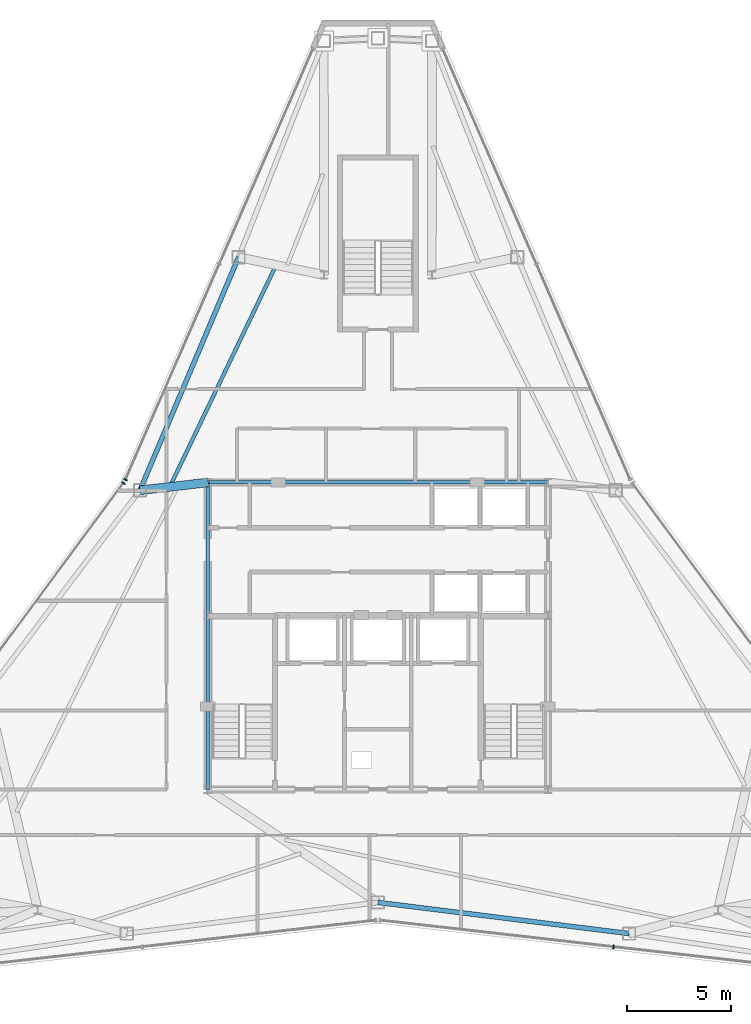
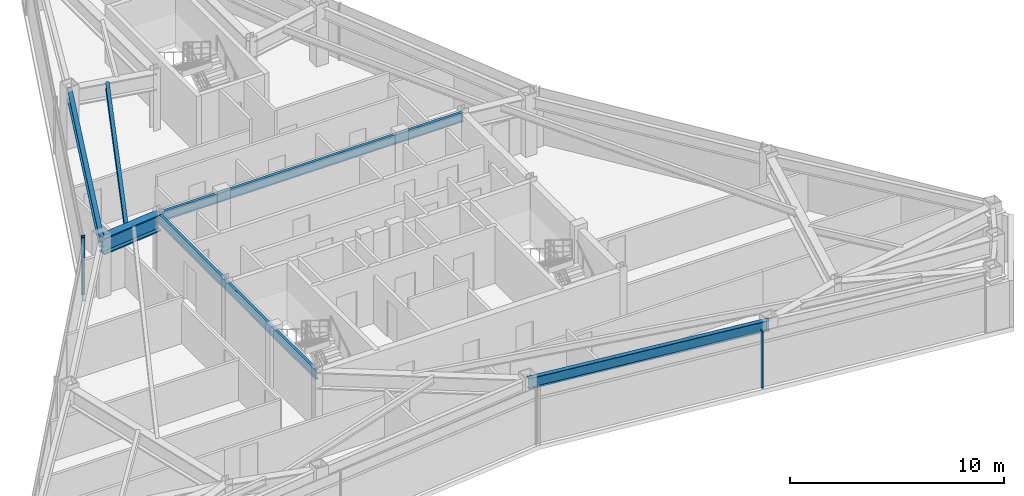
# One storey, part 5 of 11: 6 beams, 3 members, 3 elements without a shape of their own.
"""IFC4 building model written with IfcOpenShell, lengths in metres."""

from ifc_helpers import new_model, si_unit, direction, frame, origin, origin_2d, place, context, subcontext, project, spatial, rectangle, i_section, extrude, source, transform, mapped, material, layer, layer_set, material_profile, profile_set, type_object, type_shapes, element, aggregate, save


model = new_model("IFC4")

# Units and contexts
model_context = context("Model", 3, precision=1e-05, world=origin(), true_north=direction((0.0, 1.0)))
body_context = subcontext(model_context, "Body", "Model", "MODEL_VIEW")
ifc_project = project(units=[si_unit("LENGTHUNIT", "METRE"), si_unit("AREAUNIT", "SQUARE_METRE"), si_unit("VOLUMEUNIT", "CUBIC_METRE"), si_unit("PLANEANGLEUNIT", "RADIAN"), si_unit("MASSUNIT", "GRAM", prefix="KILO")], contexts=[model_context])

# Site, building, storey
site_placement = place(None, origin())
site = spatial("IfcSite", under=ifc_project, at=site_placement, CompositionType="ELEMENT")
building_placement = place(site_placement, origin())
building = spatial("IfcBuilding", under=site, at=building_placement, Name="Varakhsha Concourse Tower", CompositionType="ELEMENT")
storey_placement = place(building_placement, frame((0.0, 0.0, 279.5)))
storey = spatial("IfcBuildingStorey", under=building, at=storey_placement, Name="L79", CompositionType="ELEMENT", Elevation=279.5)

# Beams
ifc_material_1 = material(Name="Structural Steel ASTM A992 Grade 50", Category="steel")
ifc_material_profile_1 = material_profile(ifc_material_1, i_section(OverallWidth=0.177978515625, OverallDepth=0.406982421875, WebThickness=0.008056640625, FlangeThickness=0.012939453125, at=origin_2d()), Name="W16X40")
ifc_profile_set_1 = profile_set([ifc_material_profile_1], Name="Structural Steel ASTM A992 Grade 50")
beam_type_1 = type_object("IfcBeamType", Name="BM-JST-W16X40", PredefinedType="JOIST", material=ifc_profile_set_1)
beam_1_placement = place(storey_placement, frame((35.046875, 41.58349609375, 3.04638671875), z_axis=(-0.432292540768, -0.901733419141, 0.0), x_axis=(0.901733419141, -0.432292540768, 0.0)))
element("IfcBeam", 1, at=beam_1_placement, inside=storey, type_object=beam_type_1, Name="BM-TJST-L79-04", PredefinedType="JOIST", context=body_context, shape_type="SweptSolid", body=[
    extrude(i_section(OverallWidth=0.177978515625, OverallDepth=0.406982421875, WebThickness=0.008056640625, FlangeThickness=0.012939453125, at=origin_2d()), origin(), (0.0, 0.0, 1.0), 11.63916015625),
])
ifc_material_profile_2 = material_profile(ifc_material_1, i_section(OverallWidth=0.423095703125, OverallDepth=0.947998046875, WebThickness=0.0380859375, FlangeThickness=0.06396484375, at=origin_2d()), Name="W36X302")
ifc_profile_set_2 = profile_set([ifc_material_profile_2], Name="Structural Steel ASTM A992 Grade 50")
beam_type_2 = type_object("IfcBeamType", Name="BM-OUTR-W36X302", PredefinedType="USERDEFINED", material=ifc_profile_set_2)
beam_2_placement = place(storey_placement, frame((31.800048828125, 31.199951171875, 2.77587890625), z_axis=(-0.993437473309, -0.114376512559, 0.0), x_axis=(0.114376512559, -0.993437473309, 0.0)))
element("IfcBeam", 2, at=beam_2_placement, inside=storey, type_object=beam_type_2, Name="L79 Radial Floor Girder 05", ObjectType="GIRDER", PredefinedType="USERDEFINED", context=body_context, shape_type="SweptSolid", body=[
    extrude(i_section(OverallWidth=0.423095703125, OverallDepth=0.947998046875, WebThickness=0.0380859375, FlangeThickness=0.06396484375, at=origin_2d()), origin(), (0.0, 0.0, 1.0), 3.293701171875),
])
ifc_material_profile_3 = material_profile(ifc_material_1, i_section(OverallWidth=0.1669921875, OverallDepth=0.534912109375, WebThickness=0.010009765625, FlangeThickness=0.01708984375, at=origin_2d()), Name="W21X57")
ifc_profile_set_3 = profile_set([ifc_material_profile_3], Name="Structural Steel ASTM A992 Grade 50")
beam_type_3 = type_object("IfcBeamType", Name="BM-RAD-W21X57", PredefinedType="BEAM", material=ifc_profile_set_3)
beam_3_placement = place(storey_placement, frame((31.800048828125, 31.199951171875, 2.982421875), z_axis=(1.0, 0.0, 0.0), x_axis=(0.0, 1.0, 0.0)))
element("IfcBeam", 3, at=beam_3_placement, inside=storey, type_object=beam_type_3, Name="BM-TCORE-L79-CN", PredefinedType="BEAM", context=body_context, shape_type="SweptSolid", body=[
    extrude(i_section(OverallWidth=0.1669921875, OverallDepth=0.534912109375, WebThickness=0.010009765625, FlangeThickness=0.01708984375, at=origin_2d()), origin(), (0.0, 0.0, 1.0), 16.39990234375),
])
beam_4_placement = place(storey_placement, frame((31.800048828125, 16.39990234375, 2.982421875), z_axis=(0.0, 1.0, 0.0), x_axis=(-1.0, 0.0, 0.0)))
element("IfcBeam", 4, at=beam_4_placement, inside=storey, type_object=beam_type_3, Name="BM-TCORE-L79-CW", PredefinedType="BEAM", context=body_context, shape_type="SweptSolid", body=[
    extrude(i_section(OverallWidth=0.1669921875, OverallDepth=0.534912109375, WebThickness=0.010009765625, FlangeThickness=0.01708984375, at=origin_2d()), origin(), (0.0, 0.0, 1.0), 14.800048828125),
])
ifc_material_profile_4 = material_profile(ifc_material_1, i_section(OverallWidth=0.22900390625, OverallDepth=0.612060546875, WebThickness=0.011962890625, FlangeThickness=0.02001953125, at=origin_2d()), Name="W24X84")
ifc_profile_set_4 = profile_set([ifc_material_profile_4], Name="Structural Steel ASTM A992 Grade 50")
beam_type_4 = type_object("IfcBeamType", Name="BM-SPAN-W24X84", PredefinedType="SPANDREL", material=ifc_profile_set_4)
beam_5_placement = place(storey_placement, frame((33.28271484375, 42.06201171875, 2.944091796875), z_axis=(-0.389624327062, -0.920973877893, 0.0), x_axis=(0.920973877893, -0.389624327062, 0.0)))
element("IfcBeam", 5, at=beam_5_placement, inside=storey, type_object=beam_type_4, Name="BM-SPAN-L79-04", PredefinedType="SPANDREL", context=body_context, shape_type="SweptSolid", body=[
    extrude(i_section(OverallWidth=0.22900390625, OverallDepth=0.612060546875, WebThickness=0.011962890625, FlangeThickness=0.02001953125, at=origin_2d()), origin(), (0.0, 0.0, 1.0), 12.203125),
])
beam_6_placement = place(storey_placement, frame((40.0, 10.953369140625, 2.944091796875), z_axis=(0.992398980009, -0.123062035079, 0.0), x_axis=(0.123062035079, 0.992398980009, 0.0)))
element("IfcBeam", 6, at=beam_6_placement, inside=storey, type_object=beam_type_4, Name="BM-SPAN-L79-11", PredefinedType="SPANDREL", context=body_context, shape_type="SweptSolid", body=[
    extrude(i_section(OverallWidth=0.22900390625, OverallDepth=0.612060546875, WebThickness=0.011962890625, FlangeThickness=0.02001953125, at=origin_2d()), origin(), (0.0, 0.0, 1.0), 12.202880859375),
])

# Curtain wall, member
ifc_material_2 = material(Name="Anodised Bronze Architectural Aluminium AA 6063-T6", Category="aluminium")
ifc_layer = layer(ifc_material_2, 0.199951171875, Name="CW-SYS-05")
ifc_layer_set = layer_set([ifc_layer], Name="Anodised Bronze Architectural Aluminium AA 6063-T6")
curtain_wall_type = type_object("IfcCurtainWallType", Name="CW-SYS-05", PredefinedType="NOTDEFINED", material=ifc_layer_set)
curtain_wall_1_placement = place(storey_placement, origin())
curtain_wall_1 = element("IfcCurtainWall", 7, at=curtain_wall_1_placement, inside=storey, type_object=curtain_wall_type, Name="L79 Crystal Curtain Wall F2", PredefinedType="NOTDEFINED")
ifc_material_profile_5 = material_profile(ifc_material_2, rectangle(XDim=0.06494140625, YDim=0.179931640625, at=origin_2d()), Name="CWM-180X65")
ifc_profile_set_5 = profile_set([ifc_material_profile_5], Name="Anodised Bronze Architectural Aluminium AA 6063-T6")
member_type = type_object("IfcMemberType", Name="CWM-180X65", PredefinedType="MULLION", material=ifc_profile_set_5)
shared_shape = source(origin(), body_context, "Body", "SweptSolid", [
    extrude(rectangle(XDim=0.06494140625, YDim=0.179931640625, at=origin_2d()), origin(), (0.0, 0.0, 1.0), 3.25),
])
type_shapes(member_type, [shared_shape])
member_1_placement = place(storey_placement, frame((27.830322265625, 31.3388671875, 0.0), z_axis=(0.0, 0.0, 1.0), x_axis=(0.39908356189, 0.916914560158, 0.0)))
member_1 = element("IfcMember", 8, at=member_1_placement, type_object=member_type, Name="CW-L79-F2 Mullion 00", PredefinedType="MULLION", context=body_context, shape_type="MappedRepresentation", body=[
    mapped(shared_shape, transform((0.0, 0.0, 0.0), scale=1.0)),
])
aggregate(curtain_wall_1, [member_1])

curtain_wall_2_placement = place(storey_placement, origin())
curtain_wall_2 = element("IfcCurtainWall", 9, at=curtain_wall_2_placement, inside=storey, type_object=curtain_wall_type, Name="L79 Crystal Curtain Wall F3", PredefinedType="NOTDEFINED")
member_2_placement = place(storey_placement, frame((27.73291015625, 31.169921875, 0.0), z_axis=(0.0, 0.0, 1.0), x_axis=(0.594533731364, 0.804070669948, 0.0)))
member_2 = element("IfcMember", 10, at=member_2_placement, type_object=member_type, Name="CW-L79-F3 Mullion 02", PredefinedType="MULLION", context=body_context, shape_type="MappedRepresentation", body=[
    mapped(shared_shape, transform((0.0, 0.0, 0.0), scale=1.0)),
])
aggregate(curtain_wall_2, [member_2])

curtain_wall_3_placement = place(storey_placement, origin())
curtain_wall_3 = element("IfcCurtainWall", 11, at=curtain_wall_3_placement, inside=storey, type_object=curtain_wall_type, Name="L79 Crystal Curtain Wall F6", PredefinedType="NOTDEFINED")
member_3_placement = place(storey_placement, frame((51.36328125, 8.81201171875, 0.0), z_axis=(0.0, 0.0, 1.0), x_axis=(-0.993612689247, 0.112844245613, 0.0)))
member_3 = element("IfcMember", 12, at=member_3_placement, type_object=member_type, Name="CW-L79-F6 Mullion 01", PredefinedType="MULLION", context=body_context, shape_type="MappedRepresentation", body=[
    mapped(shared_shape, transform((0.0, 0.0, 0.0), scale=1.0)),
])
aggregate(curtain_wall_3, [member_3])

save(model, "model.ifc")
